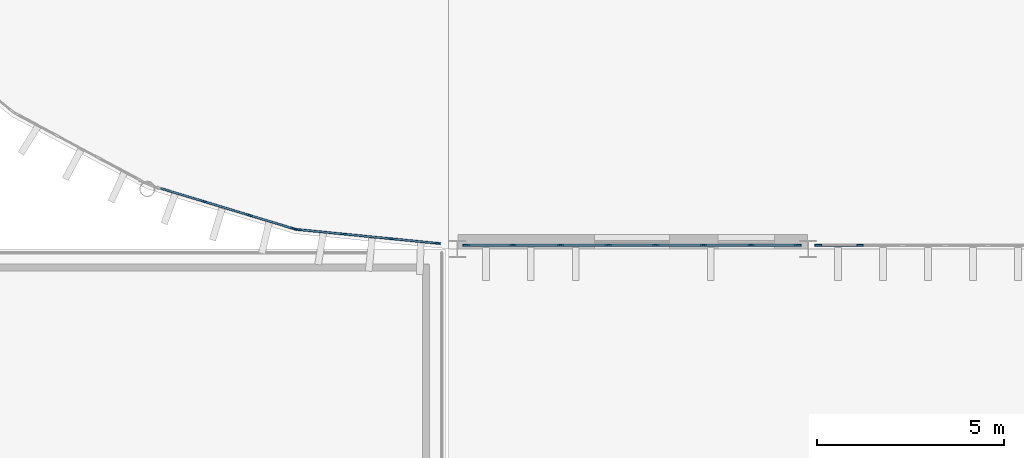
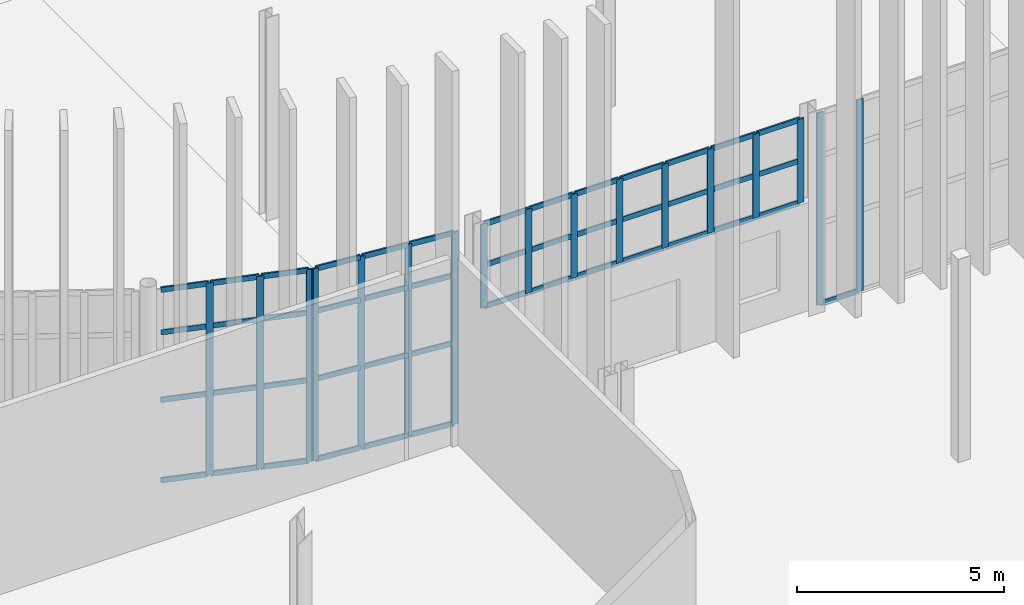
# One storey, part 30 of 139: 63 members, 4 elements without a shape of their own.
"""IFC4 building model written with IfcOpenShell, lengths in metres."""

from ifc_helpers import new_model, si_unit, direction, frame, origin, origin_2d, place, context, subcontext, project, spatial, rectangle, extrude, material, layer, layer_set, material_profile, profile_set, type_object, element, aggregate, save


model = new_model("IFC4")

# Units and contexts
model_context = context("Model", 3, precision=1e-05, world=origin(), true_north=direction((0.0, 1.0)))
body_context = subcontext(model_context, "Body", "Model", "MODEL_VIEW")
ifc_project = project(units=[si_unit("LENGTHUNIT", "METRE"), si_unit("AREAUNIT", "SQUARE_METRE"), si_unit("VOLUMEUNIT", "CUBIC_METRE"), si_unit("PLANEANGLEUNIT", "RADIAN"), si_unit("MASSUNIT", "GRAM", prefix="KILO")], contexts=[model_context])

# Site, building, storey
site_placement = place(None, origin())
site = spatial("IfcSite", under=ifc_project, at=site_placement, CompositionType="ELEMENT")
building_placement = place(site_placement, origin())
building = spatial("IfcBuilding", under=site, at=building_placement, Name="Yeouljin Market Hall", CompositionType="ELEMENT")
storey_placement = place(building_placement, origin())
storey = spatial("IfcBuildingStorey", under=building, at=storey_placement, Name="L00", CompositionType="ELEMENT", Elevation=0.0)

# Curtain wall, members
ifc_material_1 = material(Name="Thermally Broken Aluminium", Category="aluminium")
ifc_layer_1 = layer(ifc_material_1, 0.179931640625)
ifc_layer_set_1 = layer_set([ifc_layer_1], Name="Thermally Broken Aluminium")
curtain_wall_type_1 = type_object("IfcCurtainWallType", Name="CW_HallNave_System", PredefinedType="USERDEFINED", material=ifc_layer_set_1)
curtain_wall_1_placement = place(storey_placement, origin())
curtain_wall_1 = element("IfcCurtainWall", 1, at=curtain_wall_1_placement, inside=storey, type_object=curtain_wall_type_1, Name="Curtain wall CW-V1S-L00-01", ObjectType="CURTAIN WALL", PredefinedType="USERDEFINED")
ifc_material_2 = material(Name="Thermally Broken Aluminium", Category="aluminium")
ifc_material_profile_1 = material_profile(ifc_material_2, rectangle(XDim=0.048095703125, YDim=0.179931640625, at=origin_2d()), Name="CW-MULL-48x180")
ifc_profile_set_1 = profile_set([ifc_material_profile_1], Name="Thermally Broken Aluminium")
member_type_1 = type_object("IfcMemberType", Name="CWMullion_48x180", PredefinedType="MULLION", material=ifc_profile_set_1)
member_1_placement = place(storey_placement, frame((44.72607421875, 36.10009765625, 3.199951171875), z_axis=(0.0, 0.0, 1.0), x_axis=(0.0, -1.0, 0.0)))
member_1 = element("IfcMember", 2, at=member_1_placement, type_object=member_type_1, Name="CW-01 mullion 1", PredefinedType="MULLION", context=body_context, shape_type="SweptSolid", body=[
    extrude(rectangle(XDim=0.048095703125, YDim=0.179931640625, at=origin_2d()), origin(), (0.0, 0.0, 1.0), 2.47998046875),
])
member_2_placement = place(storey_placement, frame((43.478515625, 36.10009765625, 3.199951171875), z_axis=(0.0, 0.0, 1.0), x_axis=(0.0, -1.0, 0.0)))
member_2 = element("IfcMember", 3, at=member_2_placement, type_object=member_type_1, Name="CW-01 mullion 2", PredefinedType="MULLION", context=body_context, shape_type="SweptSolid", body=[
    extrude(rectangle(XDim=0.048095703125, YDim=0.179931640625, at=origin_2d()), origin(), (0.0, 0.0, 1.0), 2.47998046875),
])
member_3_placement = place(storey_placement, frame((42.20703125, 36.10009765625, 3.199951171875), z_axis=(0.0, 0.0, 1.0), x_axis=(0.0, -1.0, 0.0)))
member_3 = element("IfcMember", 4, at=member_3_placement, type_object=member_type_1, Name="CW-01 mullion 3", PredefinedType="MULLION", context=body_context, shape_type="SweptSolid", body=[
    extrude(rectangle(XDim=0.048095703125, YDim=0.179931640625, at=origin_2d()), origin(), (0.0, 0.0, 1.0), 2.47998046875),
])
member_4_placement = place(storey_placement, frame((40.935791015625, 36.10009765625, 3.199951171875), z_axis=(0.0, 0.0, 1.0), x_axis=(0.0, -1.0, 0.0)))
member_4 = element("IfcMember", 5, at=member_4_placement, type_object=member_type_1, Name="CW-01 mullion 4", PredefinedType="MULLION", context=body_context, shape_type="SweptSolid", body=[
    extrude(rectangle(XDim=0.048095703125, YDim=0.179931640625, at=origin_2d()), origin(), (0.0, 0.0, 1.0), 2.47998046875),
])
member_5_placement = place(storey_placement, frame((39.664306640625, 36.10009765625, 3.199951171875), z_axis=(0.0, 0.0, 1.0), x_axis=(0.0, -1.0, 0.0)))
member_5 = element("IfcMember", 6, at=member_5_placement, type_object=member_type_1, Name="CW-01 mullion 5", PredefinedType="MULLION", context=body_context, shape_type="SweptSolid", body=[
    extrude(rectangle(XDim=0.048095703125, YDim=0.179931640625, at=origin_2d()), origin(), (0.0, 0.0, 1.0), 2.47998046875),
])
member_6_placement = place(storey_placement, frame((38.392822265625, 36.10009765625, 3.199951171875), z_axis=(0.0, 0.0, 1.0), x_axis=(0.0, -1.0, 0.0)))
member_6 = element("IfcMember", 7, at=member_6_placement, type_object=member_type_1, Name="CW-01 mullion 6", PredefinedType="MULLION", context=body_context, shape_type="SweptSolid", body=[
    extrude(rectangle(XDim=0.048095703125, YDim=0.179931640625, at=origin_2d()), origin(), (0.0, 0.0, 1.0), 2.47998046875),
])
member_7_placement = place(storey_placement, frame((37.121337890625, 36.10009765625, 3.199951171875), z_axis=(0.0, 0.0, 1.0), x_axis=(0.0, -1.0, 0.0)))
member_7 = element("IfcMember", 8, at=member_7_placement, type_object=member_type_1, Name="CW-01 mullion 7", PredefinedType="MULLION", context=body_context, shape_type="SweptSolid", body=[
    extrude(rectangle(XDim=0.048095703125, YDim=0.179931640625, at=origin_2d()), origin(), (0.0, 0.0, 1.0), 2.47998046875),
])
member_8_placement = place(storey_placement, frame((35.8740234375, 36.10009765625, 3.199951171875), z_axis=(0.0, 0.0, 1.0), x_axis=(0.0, -1.0, 0.0)))
member_8 = element("IfcMember", 9, at=member_8_placement, type_object=member_type_1, Name="CW-01 mullion 8", PredefinedType="MULLION", context=body_context, shape_type="SweptSolid", body=[
    extrude(rectangle(XDim=0.048095703125, YDim=0.179931640625, at=origin_2d()), origin(), (0.0, 0.0, 1.0), 2.47998046875),
])

curtain_wall_2_placement = place(storey_placement, origin())
curtain_wall_2 = element("IfcCurtainWall", 10, at=curtain_wall_2_placement, inside=storey, type_object=curtain_wall_type_1, Name="Curtain wall CW-V1S-L00-02", ObjectType="CURTAIN WALL", PredefinedType="USERDEFINED")
member_9_placement = place(storey_placement, frame((46.387451171875, 36.10009765625, 0.0), z_axis=(0.0, 0.0, 1.0), x_axis=(0.0, -1.0, 0.0)))
member_9 = element("IfcMember", 11, at=member_9_placement, type_object=member_type_1, Name="CW-01 mullion 8", PredefinedType="MULLION", context=body_context, shape_type="SweptSolid", body=[
    extrude(rectangle(XDim=0.048095703125, YDim=0.179931640625, at=origin_2d()), origin(), (0.0, 0.0, 1.0), 5.679931640625),
])
member_10_placement = place(storey_placement, frame((45.27392578125, 36.10009765625, 0.0), z_axis=(0.0, 0.0, 1.0), x_axis=(0.0, -1.0, 0.0)))
member_10 = element("IfcMember", 12, at=member_10_placement, type_object=member_type_1, Name="CW-01 mullion 9", PredefinedType="MULLION", context=body_context, shape_type="SweptSolid", body=[
    extrude(rectangle(XDim=0.048095703125, YDim=0.179931640625, at=origin_2d()), origin(), (0.0, 0.0, 1.0), 5.679931640625),
])

ifc_material_3 = material(Name="Thermally Broken Aluminium", Category="aluminium")
ifc_layer_2 = layer(ifc_material_3, 0.179931640625)
ifc_layer_set_2 = layer_set([ifc_layer_2], Name="Thermally Broken Aluminium")
curtain_wall_type_2 = type_object("IfcCurtainWallType", Name="CW_ApseCurved_System", PredefinedType="USERDEFINED", material=ifc_layer_set_2)
curtain_wall_3_placement = place(storey_placement, origin())
curtain_wall_3 = element("IfcCurtainWall", 13, at=curtain_wall_3_placement, inside=storey, type_object=curtain_wall_type_2, Name="Curtain wall CW-AP-WL00-01", ObjectType="CURTAIN WALL", PredefinedType="USERDEFINED")
member_11_placement = place(storey_placement, frame((35.097412109375, 36.149658203125, 0.0), z_axis=(0.0, 0.0, 1.0), x_axis=(-0.09803414403, -0.995183051807, 0.0)))
member_11 = element("IfcMember", 14, at=member_11_placement, type_object=member_type_1, Name="CW-03 mullion 1", PredefinedType="MULLION", context=body_context, shape_type="SweptSolid", body=[
    extrude(rectangle(XDim=0.048095703125, YDim=0.179931640625, at=origin_2d()), origin(), (0.0, 0.0, 1.0), 5.679931640625),
])
member_12_placement = place(storey_placement, frame((33.86962890625, 36.270751953125, 0.0), z_axis=(0.0, 0.0, 1.0), x_axis=(-0.09803414403, -0.995183051807, 0.0)))
member_12 = element("IfcMember", 15, at=member_12_placement, type_object=member_type_1, Name="CW-03 mullion 2", PredefinedType="MULLION", context=body_context, shape_type="SweptSolid", body=[
    extrude(rectangle(XDim=0.048095703125, YDim=0.179931640625, at=origin_2d()), origin(), (0.0, 0.0, 1.0), 5.679931640625),
])
member_13_placement = place(storey_placement, frame((32.617919921875, 36.39404296875, 0.0), z_axis=(0.0, 0.0, 1.0), x_axis=(-0.09803414403, -0.995183051807, 0.0)))
member_13 = element("IfcMember", 16, at=member_13_placement, type_object=member_type_1, Name="CW-03 mullion 3", PredefinedType="MULLION", context=body_context, shape_type="SweptSolid", body=[
    extrude(rectangle(XDim=0.048095703125, YDim=0.179931640625, at=origin_2d()), origin(), (0.0, 0.0, 1.0), 5.679931640625),
])
member_14_placement = place(storey_placement, frame((31.39013671875, 36.514892578125, 0.0), z_axis=(0.0, 0.0, 1.0), x_axis=(-0.09803414403, -0.995183051807, 0.0)))
member_14 = element("IfcMember", 17, at=member_14_placement, type_object=member_type_1, Name="CW-03 mullion 4", PredefinedType="MULLION", context=body_context, shape_type="SweptSolid", body=[
    extrude(rectangle(XDim=0.048095703125, YDim=0.179931640625, at=origin_2d()), origin(), (0.0, 0.0, 1.0), 5.679931640625),
])

curtain_wall_4_placement = place(storey_placement, origin())
curtain_wall_4 = element("IfcCurtainWall", 18, at=curtain_wall_4_placement, inside=storey, type_object=curtain_wall_type_2, Name="Curtain wall CW-AP-WL00-02", ObjectType="CURTAIN WALL", PredefinedType="USERDEFINED")
member_15_placement = place(storey_placement, frame((31.26513671875, 36.539794921875, 0.0), z_axis=(0.0, 0.0, 1.0), x_axis=(-0.290286164863, -0.95693988447, 0.0)))
member_15 = element("IfcMember", 19, at=member_15_placement, type_object=member_type_1, Name="CW-03 mullion 1", PredefinedType="MULLION", context=body_context, shape_type="SweptSolid", body=[
    extrude(rectangle(XDim=0.048095703125, YDim=0.179931640625, at=origin_2d()), origin(), (0.0, 0.0, 1.0), 5.679931640625),
])
member_16_placement = place(storey_placement, frame((30.084716796875, 36.89794921875, 0.0), z_axis=(0.0, 0.0, 1.0), x_axis=(-0.290286164863, -0.95693988447, 0.0)))
member_16 = element("IfcMember", 20, at=member_16_placement, type_object=member_type_1, Name="CW-03 mullion 2", PredefinedType="MULLION", context=body_context, shape_type="SweptSolid", body=[
    extrude(rectangle(XDim=0.048095703125, YDim=0.179931640625, at=origin_2d()), origin(), (0.0, 0.0, 1.0), 5.679931640625),
])
member_17_placement = place(storey_placement, frame((28.881103515625, 37.262939453125, 0.0), z_axis=(0.0, 0.0, 1.0), x_axis=(-0.290286164863, -0.95693988447, 0.0)))
member_17 = element("IfcMember", 21, at=member_17_placement, type_object=member_type_1, Name="CW-03 mullion 3", PredefinedType="MULLION", context=body_context, shape_type="SweptSolid", body=[
    extrude(rectangle(XDim=0.048095703125, YDim=0.179931640625, at=origin_2d()), origin(), (0.0, 0.0, 1.0), 5.679931640625),
])

# Member
ifc_material_4 = material(Name="Thermally Broken Aluminium", Category="aluminium")
ifc_material_profile_2 = material_profile(ifc_material_4, rectangle(XDim=0.048095703125, YDim=0.14990234375, at=origin_2d()), Name="CW-TRAN-48x150")
ifc_profile_set_2 = profile_set([ifc_material_profile_2], Name="Thermally Broken Aluminium")
member_type_2 = type_object("IfcMemberType", Name="CWTransom_48x150", PredefinedType="USERDEFINED", material=ifc_profile_set_2)
member_18_placement = place(storey_placement, frame((44.701904296875, 36.10009765625, 3.22412109375), z_axis=(-1.0, 0.0, 0.0), x_axis=(0.0, -1.0, 0.0)))
member_18 = element("IfcMember", 22, at=member_18_placement, type_object=member_type_2, Name="CW-01 transom 1.1", ObjectType="TRANSOM", PredefinedType="USERDEFINED", context=body_context, shape_type="SweptSolid", body=[
    extrude(rectangle(XDim=0.048095703125, YDim=0.14990234375, at=origin_2d()), origin(), (0.0, 0.0, 1.0), 1.19921875),
])

member_19_placement = place(storey_placement, frame((44.701904296875, 36.10009765625, 4.449951171875), z_axis=(-1.0, 0.0, 0.0), x_axis=(0.0, -1.0, 0.0)))
member_19 = element("IfcMember", 23, at=member_19_placement, type_object=member_type_2, Name="CW-01 transom 1.2", ObjectType="TRANSOM", PredefinedType="USERDEFINED", context=body_context, shape_type="SweptSolid", body=[
    extrude(rectangle(XDim=0.048095703125, YDim=0.14990234375, at=origin_2d()), origin(), (0.0, 0.0, 1.0), 1.19921875),
])

member_20_placement = place(storey_placement, frame((44.701904296875, 36.10009765625, 5.656005859375), z_axis=(-1.0, 0.0, 0.0), x_axis=(0.0, -1.0, 0.0)))
member_20 = element("IfcMember", 24, at=member_20_placement, type_object=member_type_2, Name="CW-01 transom 1.3", ObjectType="TRANSOM", PredefinedType="USERDEFINED", context=body_context, shape_type="SweptSolid", body=[
    extrude(rectangle(XDim=0.048095703125, YDim=0.14990234375, at=origin_2d()), origin(), (0.0, 0.0, 1.0), 1.19921875),
])

member_21_placement = place(storey_placement, frame((43.45458984375, 36.10009765625, 3.22412109375), z_axis=(-1.0, 0.0, 0.0), x_axis=(0.0, -1.0, 0.0)))
member_21 = element("IfcMember", 25, at=member_21_placement, type_object=member_type_2, Name="CW-01 transom 2.1", ObjectType="TRANSOM", PredefinedType="USERDEFINED", context=body_context, shape_type="SweptSolid", body=[
    extrude(rectangle(XDim=0.048095703125, YDim=0.14990234375, at=origin_2d()), origin(), (0.0, 0.0, 1.0), 1.223388671875),
])

member_22_placement = place(storey_placement, frame((43.45458984375, 36.10009765625, 4.449951171875), z_axis=(-1.0, 0.0, 0.0), x_axis=(0.0, -1.0, 0.0)))
member_22 = element("IfcMember", 26, at=member_22_placement, type_object=member_type_2, Name="CW-01 transom 2.2", ObjectType="TRANSOM", PredefinedType="USERDEFINED", context=body_context, shape_type="SweptSolid", body=[
    extrude(rectangle(XDim=0.048095703125, YDim=0.14990234375, at=origin_2d()), origin(), (0.0, 0.0, 1.0), 1.223388671875),
])

member_23_placement = place(storey_placement, frame((43.45458984375, 36.10009765625, 5.656005859375), z_axis=(-1.0, 0.0, 0.0), x_axis=(0.0, -1.0, 0.0)))
member_23 = element("IfcMember", 27, at=member_23_placement, type_object=member_type_2, Name="CW-01 transom 2.3", ObjectType="TRANSOM", PredefinedType="USERDEFINED", context=body_context, shape_type="SweptSolid", body=[
    extrude(rectangle(XDim=0.048095703125, YDim=0.14990234375, at=origin_2d()), origin(), (0.0, 0.0, 1.0), 1.223388671875),
])

member_24_placement = place(storey_placement, frame((42.18310546875, 36.10009765625, 3.22412109375), z_axis=(-1.0, 0.0, 0.0), x_axis=(0.0, -1.0, 0.0)))
member_24 = element("IfcMember", 28, at=member_24_placement, type_object=member_type_2, Name="CW-01 transom 3.1", ObjectType="TRANSOM", PredefinedType="USERDEFINED", context=body_context, shape_type="SweptSolid", body=[
    extrude(rectangle(XDim=0.048095703125, YDim=0.14990234375, at=origin_2d()), origin(), (0.0, 0.0, 1.0), 1.223388671875),
])

member_25_placement = place(storey_placement, frame((42.18310546875, 36.10009765625, 4.449951171875), z_axis=(-1.0, 0.0, 0.0), x_axis=(0.0, -1.0, 0.0)))
member_25 = element("IfcMember", 29, at=member_25_placement, type_object=member_type_2, Name="CW-01 transom 3.2", ObjectType="TRANSOM", PredefinedType="USERDEFINED", context=body_context, shape_type="SweptSolid", body=[
    extrude(rectangle(XDim=0.048095703125, YDim=0.14990234375, at=origin_2d()), origin(), (0.0, 0.0, 1.0), 1.223388671875),
])

member_26_placement = place(storey_placement, frame((42.18310546875, 36.10009765625, 5.656005859375), z_axis=(-1.0, 0.0, 0.0), x_axis=(0.0, -1.0, 0.0)))
member_26 = element("IfcMember", 30, at=member_26_placement, type_object=member_type_2, Name="CW-01 transom 3.3", ObjectType="TRANSOM", PredefinedType="USERDEFINED", context=body_context, shape_type="SweptSolid", body=[
    extrude(rectangle(XDim=0.048095703125, YDim=0.14990234375, at=origin_2d()), origin(), (0.0, 0.0, 1.0), 1.223388671875),
])

member_27_placement = place(storey_placement, frame((40.91162109375, 36.10009765625, 3.22412109375), z_axis=(-1.0, 0.0, 0.0), x_axis=(0.0, -1.0, 0.0)))
member_27 = element("IfcMember", 31, at=member_27_placement, type_object=member_type_2, Name="CW-01 transom 4.1", ObjectType="TRANSOM", PredefinedType="USERDEFINED", context=body_context, shape_type="SweptSolid", body=[
    extrude(rectangle(XDim=0.048095703125, YDim=0.14990234375, at=origin_2d()), origin(), (0.0, 0.0, 1.0), 1.223388671875),
])

member_28_placement = place(storey_placement, frame((40.91162109375, 36.10009765625, 4.449951171875), z_axis=(-1.0, 0.0, 0.0), x_axis=(0.0, -1.0, 0.0)))
member_28 = element("IfcMember", 32, at=member_28_placement, type_object=member_type_2, Name="CW-01 transom 4.2", ObjectType="TRANSOM", PredefinedType="USERDEFINED", context=body_context, shape_type="SweptSolid", body=[
    extrude(rectangle(XDim=0.048095703125, YDim=0.14990234375, at=origin_2d()), origin(), (0.0, 0.0, 1.0), 1.223388671875),
])

member_29_placement = place(storey_placement, frame((40.91162109375, 36.10009765625, 5.656005859375), z_axis=(-1.0, 0.0, 0.0), x_axis=(0.0, -1.0, 0.0)))
member_29 = element("IfcMember", 33, at=member_29_placement, type_object=member_type_2, Name="CW-01 transom 4.3", ObjectType="TRANSOM", PredefinedType="USERDEFINED", context=body_context, shape_type="SweptSolid", body=[
    extrude(rectangle(XDim=0.048095703125, YDim=0.14990234375, at=origin_2d()), origin(), (0.0, 0.0, 1.0), 1.223388671875),
])

member_30_placement = place(storey_placement, frame((39.640380859375, 36.10009765625, 3.22412109375), z_axis=(-1.0, 0.0, 0.0), x_axis=(0.0, -1.0, 0.0)))
member_30 = element("IfcMember", 34, at=member_30_placement, type_object=member_type_2, Name="CW-01 transom 5.1", ObjectType="TRANSOM", PredefinedType="USERDEFINED", context=body_context, shape_type="SweptSolid", body=[
    extrude(rectangle(XDim=0.048095703125, YDim=0.14990234375, at=origin_2d()), origin(), (0.0, 0.0, 1.0), 1.2236328125),
])

member_31_placement = place(storey_placement, frame((39.640380859375, 36.10009765625, 4.449951171875), z_axis=(-1.0, 0.0, 0.0), x_axis=(0.0, -1.0, 0.0)))
member_31 = element("IfcMember", 35, at=member_31_placement, type_object=member_type_2, Name="CW-01 transom 5.2", ObjectType="TRANSOM", PredefinedType="USERDEFINED", context=body_context, shape_type="SweptSolid", body=[
    extrude(rectangle(XDim=0.048095703125, YDim=0.14990234375, at=origin_2d()), origin(), (0.0, 0.0, 1.0), 1.2236328125),
])

member_32_placement = place(storey_placement, frame((39.640380859375, 36.10009765625, 5.656005859375), z_axis=(-1.0, 0.0, 0.0), x_axis=(0.0, -1.0, 0.0)))
member_32 = element("IfcMember", 36, at=member_32_placement, type_object=member_type_2, Name="CW-01 transom 5.3", ObjectType="TRANSOM", PredefinedType="USERDEFINED", context=body_context, shape_type="SweptSolid", body=[
    extrude(rectangle(XDim=0.048095703125, YDim=0.14990234375, at=origin_2d()), origin(), (0.0, 0.0, 1.0), 1.2236328125),
])

member_33_placement = place(storey_placement, frame((38.368896484375, 36.10009765625, 3.22412109375), z_axis=(-1.0, 0.0, 0.0), x_axis=(0.0, -1.0, 0.0)))
member_33 = element("IfcMember", 37, at=member_33_placement, type_object=member_type_2, Name="CW-01 transom 6.1", ObjectType="TRANSOM", PredefinedType="USERDEFINED", context=body_context, shape_type="SweptSolid", body=[
    extrude(rectangle(XDim=0.048095703125, YDim=0.14990234375, at=origin_2d()), origin(), (0.0, 0.0, 1.0), 1.223388671875),
])

member_34_placement = place(storey_placement, frame((38.368896484375, 36.10009765625, 4.449951171875), z_axis=(-1.0, 0.0, 0.0), x_axis=(0.0, -1.0, 0.0)))
member_34 = element("IfcMember", 38, at=member_34_placement, type_object=member_type_2, Name="CW-01 transom 6.2", ObjectType="TRANSOM", PredefinedType="USERDEFINED", context=body_context, shape_type="SweptSolid", body=[
    extrude(rectangle(XDim=0.048095703125, YDim=0.14990234375, at=origin_2d()), origin(), (0.0, 0.0, 1.0), 1.223388671875),
])

member_35_placement = place(storey_placement, frame((38.368896484375, 36.10009765625, 5.656005859375), z_axis=(-1.0, 0.0, 0.0), x_axis=(0.0, -1.0, 0.0)))
member_35 = element("IfcMember", 39, at=member_35_placement, type_object=member_type_2, Name="CW-01 transom 6.3", ObjectType="TRANSOM", PredefinedType="USERDEFINED", context=body_context, shape_type="SweptSolid", body=[
    extrude(rectangle(XDim=0.048095703125, YDim=0.14990234375, at=origin_2d()), origin(), (0.0, 0.0, 1.0), 1.223388671875),
])

member_36_placement = place(storey_placement, frame((37.097412109375, 36.10009765625, 3.22412109375), z_axis=(-1.0, 0.0, 0.0), x_axis=(0.0, -1.0, 0.0)))
member_36 = element("IfcMember", 40, at=member_36_placement, type_object=member_type_2, Name="CW-01 transom 7.1", ObjectType="TRANSOM", PredefinedType="USERDEFINED", context=body_context, shape_type="SweptSolid", body=[
    extrude(rectangle(XDim=0.048095703125, YDim=0.14990234375, at=origin_2d()), origin(), (0.0, 0.0, 1.0), 1.199462890625),
])

member_37_placement = place(storey_placement, frame((37.097412109375, 36.10009765625, 4.449951171875), z_axis=(-1.0, 0.0, 0.0), x_axis=(0.0, -1.0, 0.0)))
member_37 = element("IfcMember", 41, at=member_37_placement, type_object=member_type_2, Name="CW-01 transom 7.2", ObjectType="TRANSOM", PredefinedType="USERDEFINED", context=body_context, shape_type="SweptSolid", body=[
    extrude(rectangle(XDim=0.048095703125, YDim=0.14990234375, at=origin_2d()), origin(), (0.0, 0.0, 1.0), 1.199462890625),
])

member_38_placement = place(storey_placement, frame((37.097412109375, 36.10009765625, 5.656005859375), z_axis=(-1.0, 0.0, 0.0), x_axis=(0.0, -1.0, 0.0)))
member_38 = element("IfcMember", 42, at=member_38_placement, type_object=member_type_2, Name="CW-01 transom 7.3", ObjectType="TRANSOM", PredefinedType="USERDEFINED", context=body_context, shape_type="SweptSolid", body=[
    extrude(rectangle(XDim=0.048095703125, YDim=0.14990234375, at=origin_2d()), origin(), (0.0, 0.0, 1.0), 1.199462890625),
])

aggregate(curtain_wall_1, [member_1, member_2, member_3, member_4, member_5, member_6, member_7, member_8, member_18, member_19, member_20, member_21, member_22, member_23, member_24, member_25, member_26, member_27, member_28, member_29, member_30, member_31, member_32, member_33, member_34, member_35, member_36, member_37, member_38])

member_39_placement = place(storey_placement, frame((46.363525390625, 36.10009765625, 0.02392578125), z_axis=(-1.0, 0.0, 0.0), x_axis=(0.0, -1.0, 0.0)))
member_39 = element("IfcMember", 43, at=member_39_placement, type_object=member_type_2, Name="CW-01 transom 8.1", ObjectType="TRANSOM", PredefinedType="USERDEFINED", context=body_context, shape_type="SweptSolid", body=[
    extrude(rectangle(XDim=0.048095703125, YDim=0.14990234375, at=origin_2d()), origin(), (0.0, 0.0, 1.0), 1.0654296875),
])

aggregate(curtain_wall_2, [member_9, member_10, member_39])

member_40_placement = place(storey_placement, frame((35.073486328125, 36.152099609375, 0.02392578125), z_axis=(-0.995184906489, 0.098015314606, 0.0), x_axis=(-0.098015314606, -0.995184906489, 0.0)))
member_40 = element("IfcMember", 44, at=member_40_placement, type_object=member_type_2, Name="CW-03 transom 1.1", ObjectType="TRANSOM", PredefinedType="USERDEFINED", context=body_context, shape_type="SweptSolid", body=[
    extrude(rectangle(XDim=0.048095703125, YDim=0.14990234375, at=origin_2d()), origin(), (0.0, 0.0, 1.0), 1.185546875),
])

member_41_placement = place(storey_placement, frame((35.073486328125, 36.152099609375, 2.39990234375), z_axis=(-0.995184906489, 0.098015314606, 0.0), x_axis=(-0.098015314606, -0.995184906489, 0.0)))
member_41 = element("IfcMember", 45, at=member_41_placement, type_object=member_type_2, Name="CW-03 transom 1.2", ObjectType="TRANSOM", PredefinedType="USERDEFINED", context=body_context, shape_type="SweptSolid", body=[
    extrude(rectangle(XDim=0.048095703125, YDim=0.14990234375, at=origin_2d()), origin(), (0.0, 0.0, 1.0), 1.185546875),
])

member_42_placement = place(storey_placement, frame((35.073486328125, 36.152099609375, 4.39990234375), z_axis=(-0.995184906489, 0.098015314606, 0.0), x_axis=(-0.098015314606, -0.995184906489, 0.0)))
member_42 = element("IfcMember", 46, at=member_42_placement, type_object=member_type_2, Name="CW-03 transom 1.3", ObjectType="TRANSOM", PredefinedType="USERDEFINED", context=body_context, shape_type="SweptSolid", body=[
    extrude(rectangle(XDim=0.048095703125, YDim=0.14990234375, at=origin_2d()), origin(), (0.0, 0.0, 1.0), 1.185546875),
])

member_43_placement = place(storey_placement, frame((35.073486328125, 36.152099609375, 5.656005859375), z_axis=(-0.995184906489, 0.098015314606, 0.0), x_axis=(-0.098015314606, -0.995184906489, 0.0)))
member_43 = element("IfcMember", 47, at=member_43_placement, type_object=member_type_2, Name="CW-03 transom 1.4", ObjectType="TRANSOM", PredefinedType="USERDEFINED", context=body_context, shape_type="SweptSolid", body=[
    extrude(rectangle(XDim=0.048095703125, YDim=0.14990234375, at=origin_2d()), origin(), (0.0, 0.0, 1.0), 1.185546875),
])

member_44_placement = place(storey_placement, frame((33.845703125, 36.27294921875, 0.02392578125), z_axis=(-0.995178052762, 0.098084878045, 0.0), x_axis=(-0.098084878045, -0.995178052762, 0.0)))
member_44 = element("IfcMember", 48, at=member_44_placement, type_object=member_type_2, Name="CW-03 transom 2.1", ObjectType="TRANSOM", PredefinedType="USERDEFINED", context=body_context, shape_type="SweptSolid", body=[
    extrude(rectangle(XDim=0.048095703125, YDim=0.14990234375, at=origin_2d()), origin(), (0.0, 0.0, 1.0), 1.209716796875),
])

member_45_placement = place(storey_placement, frame((33.845703125, 36.27294921875, 2.39990234375), z_axis=(-0.995178052762, 0.098084878045, 0.0), x_axis=(-0.098084878045, -0.995178052762, 0.0)))
member_45 = element("IfcMember", 49, at=member_45_placement, type_object=member_type_2, Name="CW-03 transom 2.2", ObjectType="TRANSOM", PredefinedType="USERDEFINED", context=body_context, shape_type="SweptSolid", body=[
    extrude(rectangle(XDim=0.048095703125, YDim=0.14990234375, at=origin_2d()), origin(), (0.0, 0.0, 1.0), 1.209716796875),
])

member_46_placement = place(storey_placement, frame((33.845703125, 36.27294921875, 4.39990234375), z_axis=(-0.995178052762, 0.098084878045, 0.0), x_axis=(-0.098084878045, -0.995178052762, 0.0)))
member_46 = element("IfcMember", 50, at=member_46_placement, type_object=member_type_2, Name="CW-03 transom 2.3", ObjectType="TRANSOM", PredefinedType="USERDEFINED", context=body_context, shape_type="SweptSolid", body=[
    extrude(rectangle(XDim=0.048095703125, YDim=0.14990234375, at=origin_2d()), origin(), (0.0, 0.0, 1.0), 1.209716796875),
])

member_47_placement = place(storey_placement, frame((33.845703125, 36.27294921875, 5.656005859375), z_axis=(-0.995178052762, 0.098084878045, 0.0), x_axis=(-0.098084878045, -0.995178052762, 0.0)))
member_47 = element("IfcMember", 51, at=member_47_placement, type_object=member_type_2, Name="CW-03 transom 2.4", ObjectType="TRANSOM", PredefinedType="USERDEFINED", context=body_context, shape_type="SweptSolid", body=[
    extrude(rectangle(XDim=0.048095703125, YDim=0.14990234375, at=origin_2d()), origin(), (0.0, 0.0, 1.0), 1.209716796875),
])

member_48_placement = place(storey_placement, frame((32.593994140625, 36.396240234375, 0.02392578125), z_axis=(-0.995164800405, 0.098219244733, 0.0), x_axis=(-0.098219244733, -0.995164800405, 0.0)))
member_48 = element("IfcMember", 52, at=member_48_placement, type_object=member_type_2, Name="CW-03 transom 3.1", ObjectType="TRANSOM", PredefinedType="USERDEFINED", context=body_context, shape_type="SweptSolid", body=[
    extrude(rectangle(XDim=0.048095703125, YDim=0.14990234375, at=origin_2d()), origin(), (0.0, 0.0, 1.0), 1.185546875),
])

member_49_placement = place(storey_placement, frame((32.593994140625, 36.396240234375, 2.39990234375), z_axis=(-0.995164800405, 0.098219244733, 0.0), x_axis=(-0.098219244733, -0.995164800405, 0.0)))
member_49 = element("IfcMember", 53, at=member_49_placement, type_object=member_type_2, Name="CW-03 transom 3.2", ObjectType="TRANSOM", PredefinedType="USERDEFINED", context=body_context, shape_type="SweptSolid", body=[
    extrude(rectangle(XDim=0.048095703125, YDim=0.14990234375, at=origin_2d()), origin(), (0.0, 0.0, 1.0), 1.185546875),
])

member_50_placement = place(storey_placement, frame((32.593994140625, 36.396240234375, 4.39990234375), z_axis=(-0.995164800405, 0.098219244733, 0.0), x_axis=(-0.098219244733, -0.995164800405, 0.0)))
member_50 = element("IfcMember", 54, at=member_50_placement, type_object=member_type_2, Name="CW-03 transom 3.3", ObjectType="TRANSOM", PredefinedType="USERDEFINED", context=body_context, shape_type="SweptSolid", body=[
    extrude(rectangle(XDim=0.048095703125, YDim=0.14990234375, at=origin_2d()), origin(), (0.0, 0.0, 1.0), 1.185546875),
])

member_51_placement = place(storey_placement, frame((32.593994140625, 36.396240234375, 5.656005859375), z_axis=(-0.995164800405, 0.098219244733, 0.0), x_axis=(-0.098219244733, -0.995164800405, 0.0)))
member_51 = element("IfcMember", 55, at=member_51_placement, type_object=member_type_2, Name="CW-03 transom 3.4", ObjectType="TRANSOM", PredefinedType="USERDEFINED", context=body_context, shape_type="SweptSolid", body=[
    extrude(rectangle(XDim=0.048095703125, YDim=0.14990234375, at=origin_2d()), origin(), (0.0, 0.0, 1.0), 1.185546875),
])

aggregate(curtain_wall_3, [member_11, member_12, member_13, member_14, member_40, member_41, member_42, member_43, member_44, member_45, member_46, member_47, member_48, member_49, member_50, member_51])

member_52_placement = place(storey_placement, frame((31.2421875, 36.546630859375, 0.02392578125), z_axis=(-0.95692042936, 0.290350291671, 0.0), x_axis=(-0.290350291671, -0.95692042936, 0.0)))
member_52 = element("IfcMember", 56, at=member_52_placement, type_object=member_type_2, Name="CW-03 transom 1.1", ObjectType="TRANSOM", PredefinedType="USERDEFINED", context=body_context, shape_type="SweptSolid", body=[
    extrude(rectangle(XDim=0.048095703125, YDim=0.14990234375, at=origin_2d()), origin(), (0.0, 0.0, 1.0), 1.185546875),
])

member_53_placement = place(storey_placement, frame((31.2421875, 36.546630859375, 2.39990234375), z_axis=(-0.95692042936, 0.290350291671, 0.0), x_axis=(-0.290350291671, -0.95692042936, 0.0)))
member_53 = element("IfcMember", 57, at=member_53_placement, type_object=member_type_2, Name="CW-03 transom 1.2", ObjectType="TRANSOM", PredefinedType="USERDEFINED", context=body_context, shape_type="SweptSolid", body=[
    extrude(rectangle(XDim=0.048095703125, YDim=0.14990234375, at=origin_2d()), origin(), (0.0, 0.0, 1.0), 1.185546875),
])

member_54_placement = place(storey_placement, frame((31.2421875, 36.546630859375, 4.39990234375), z_axis=(-0.95692042936, 0.290350291671, 0.0), x_axis=(-0.290350291671, -0.95692042936, 0.0)))
member_54 = element("IfcMember", 58, at=member_54_placement, type_object=member_type_2, Name="CW-03 transom 1.3", ObjectType="TRANSOM", PredefinedType="USERDEFINED", context=body_context, shape_type="SweptSolid", body=[
    extrude(rectangle(XDim=0.048095703125, YDim=0.14990234375, at=origin_2d()), origin(), (0.0, 0.0, 1.0), 1.185546875),
])

member_55_placement = place(storey_placement, frame((31.2421875, 36.546630859375, 5.656005859375), z_axis=(-0.95692042936, 0.290350291671, 0.0), x_axis=(-0.290350291671, -0.95692042936, 0.0)))
member_55 = element("IfcMember", 59, at=member_55_placement, type_object=member_type_2, Name="CW-03 transom 1.4", ObjectType="TRANSOM", PredefinedType="USERDEFINED", context=body_context, shape_type="SweptSolid", body=[
    extrude(rectangle(XDim=0.048095703125, YDim=0.14990234375, at=origin_2d()), origin(), (0.0, 0.0, 1.0), 1.185546875),
])

member_56_placement = place(storey_placement, frame((30.061767578125, 36.90478515625, 0.02392578125), z_axis=(-0.95691061979, 0.290382619544, 0.0), x_axis=(-0.290382619544, -0.95691061979, 0.0)))
member_56 = element("IfcMember", 60, at=member_56_placement, type_object=member_type_2, Name="CW-03 transom 2.1", ObjectType="TRANSOM", PredefinedType="USERDEFINED", context=body_context, shape_type="SweptSolid", body=[
    extrude(rectangle(XDim=0.048095703125, YDim=0.14990234375, at=origin_2d()), origin(), (0.0, 0.0, 1.0), 1.2099609375),
])

member_57_placement = place(storey_placement, frame((30.061767578125, 36.90478515625, 2.39990234375), z_axis=(-0.95691061979, 0.290382619544, 0.0), x_axis=(-0.290382619544, -0.95691061979, 0.0)))
member_57 = element("IfcMember", 61, at=member_57_placement, type_object=member_type_2, Name="CW-03 transom 2.2", ObjectType="TRANSOM", PredefinedType="USERDEFINED", context=body_context, shape_type="SweptSolid", body=[
    extrude(rectangle(XDim=0.048095703125, YDim=0.14990234375, at=origin_2d()), origin(), (0.0, 0.0, 1.0), 1.2099609375),
])

member_58_placement = place(storey_placement, frame((30.061767578125, 36.90478515625, 4.39990234375), z_axis=(-0.95691061979, 0.290382619544, 0.0), x_axis=(-0.290382619544, -0.95691061979, 0.0)))
member_58 = element("IfcMember", 62, at=member_58_placement, type_object=member_type_2, Name="CW-03 transom 2.3", ObjectType="TRANSOM", PredefinedType="USERDEFINED", context=body_context, shape_type="SweptSolid", body=[
    extrude(rectangle(XDim=0.048095703125, YDim=0.14990234375, at=origin_2d()), origin(), (0.0, 0.0, 1.0), 1.2099609375),
])

member_59_placement = place(storey_placement, frame((30.061767578125, 36.90478515625, 5.656005859375), z_axis=(-0.95691061979, 0.290382619544, 0.0), x_axis=(-0.290382619544, -0.95691061979, 0.0)))
member_59 = element("IfcMember", 63, at=member_59_placement, type_object=member_type_2, Name="CW-03 transom 2.4", ObjectType="TRANSOM", PredefinedType="USERDEFINED", context=body_context, shape_type="SweptSolid", body=[
    extrude(rectangle(XDim=0.048095703125, YDim=0.14990234375, at=origin_2d()), origin(), (0.0, 0.0, 1.0), 1.2099609375),
])

member_60_placement = place(storey_placement, frame((28.858154296875, 37.27001953125, 0.02392578125), z_axis=(-0.956937784149, 0.290293088565, 0.0), x_axis=(-0.290293088565, -0.956937784149, 0.0)))
member_60 = element("IfcMember", 64, at=member_60_placement, type_object=member_type_2, Name="CW-03 transom 3.1", ObjectType="TRANSOM", PredefinedType="USERDEFINED", context=body_context, shape_type="SweptSolid", body=[
    extrude(rectangle(XDim=0.048095703125, YDim=0.14990234375, at=origin_2d()), origin(), (0.0, 0.0, 1.0), 1.185791015625),
])

member_61_placement = place(storey_placement, frame((28.858154296875, 37.27001953125, 2.39990234375), z_axis=(-0.956937784149, 0.290293088565, 0.0), x_axis=(-0.290293088565, -0.956937784149, 0.0)))
member_61 = element("IfcMember", 65, at=member_61_placement, type_object=member_type_2, Name="CW-03 transom 3.2", ObjectType="TRANSOM", PredefinedType="USERDEFINED", context=body_context, shape_type="SweptSolid", body=[
    extrude(rectangle(XDim=0.048095703125, YDim=0.14990234375, at=origin_2d()), origin(), (0.0, 0.0, 1.0), 1.185791015625),
])

member_62_placement = place(storey_placement, frame((28.858154296875, 37.27001953125, 4.39990234375), z_axis=(-0.956937784149, 0.290293088565, 0.0), x_axis=(-0.290293088565, -0.956937784149, 0.0)))
member_62 = element("IfcMember", 66, at=member_62_placement, type_object=member_type_2, Name="CW-03 transom 3.3", ObjectType="TRANSOM", PredefinedType="USERDEFINED", context=body_context, shape_type="SweptSolid", body=[
    extrude(rectangle(XDim=0.048095703125, YDim=0.14990234375, at=origin_2d()), origin(), (0.0, 0.0, 1.0), 1.185791015625),
])

member_63_placement = place(storey_placement, frame((28.858154296875, 37.27001953125, 5.656005859375), z_axis=(-0.956937784149, 0.290293088565, 0.0), x_axis=(-0.290293088565, -0.956937784149, 0.0)))
member_63 = element("IfcMember", 67, at=member_63_placement, type_object=member_type_2, Name="CW-03 transom 3.4", ObjectType="TRANSOM", PredefinedType="USERDEFINED", context=body_context, shape_type="SweptSolid", body=[
    extrude(rectangle(XDim=0.048095703125, YDim=0.14990234375, at=origin_2d()), origin(), (0.0, 0.0, 1.0), 1.185791015625),
])

aggregate(curtain_wall_4, [member_15, member_16, member_17, member_52, member_53, member_54, member_55, member_56, member_57, member_58, member_59, member_60, member_61, member_62, member_63])

save(model, "model.ifc")
